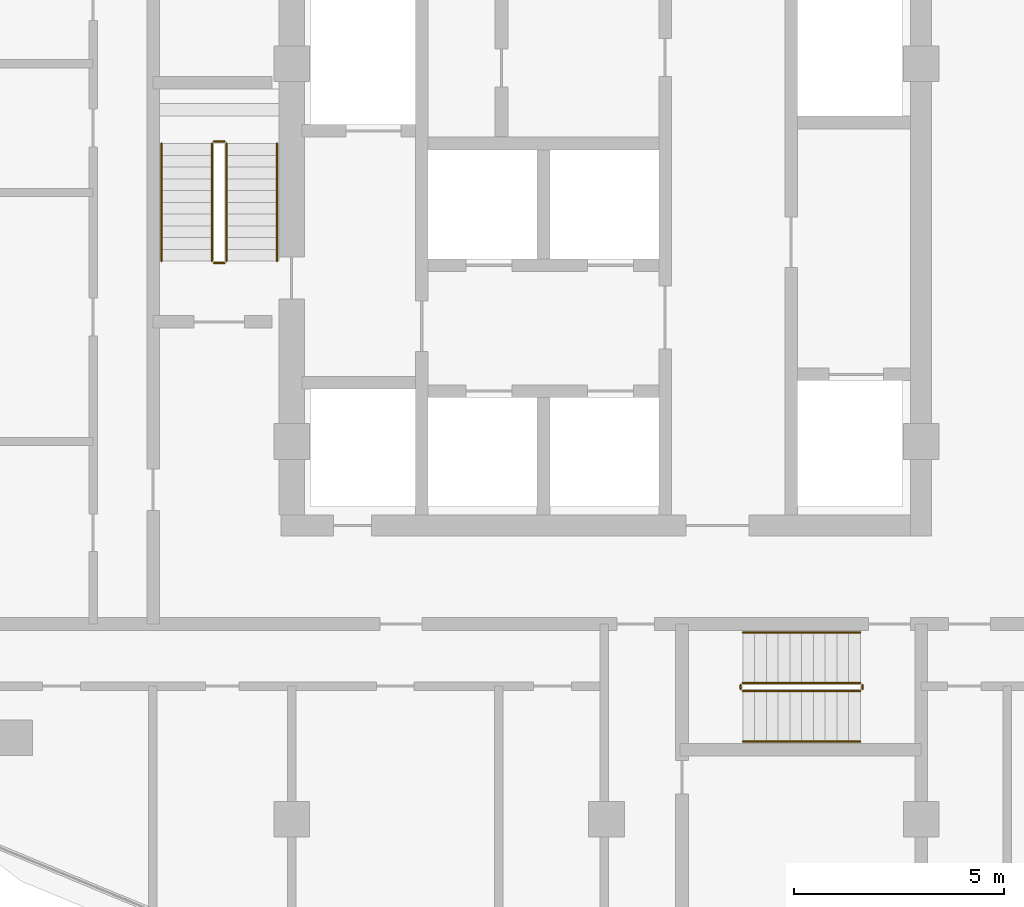
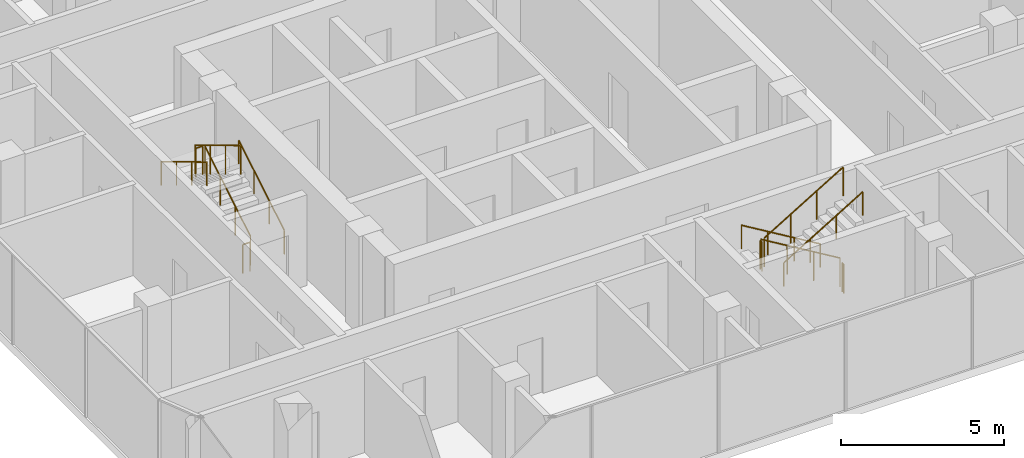
# One storey, part 34 of 34: 12 railings.
"""IFC4 building model written with IfcOpenShell, lengths in metres."""

from ifc_helpers import new_model, si_unit, direction, frame, origin, origin_2d, place, context, subcontext, project, spatial, circle, extrude, material, type_object, element, save


model = new_model("IFC4")

# Units and contexts
model_context = context("Model", 3, precision=1e-05, world=origin(), true_north=direction((0.0, 1.0)))
body_context = subcontext(model_context, "Body", "Model", "MODEL_VIEW")
ifc_project = project(units=[si_unit("LENGTHUNIT", "METRE"), si_unit("AREAUNIT", "SQUARE_METRE"), si_unit("VOLUMEUNIT", "CUBIC_METRE"), si_unit("PLANEANGLEUNIT", "RADIAN"), si_unit("MASSUNIT", "GRAM", prefix="KILO")], contexts=[model_context])

# Site, building, storey
site_placement = place(None, origin())
site = spatial("IfcSite", under=ifc_project, at=site_placement, CompositionType="ELEMENT")
building_placement = place(site_placement, origin())
building = spatial("IfcBuilding", under=site, at=building_placement, Name="Ogive Portal Towers", CompositionType="ELEMENT")
storey_placement = place(building_placement, frame((0.0, 0.0, 66.800048828125)))
storey = spatial("IfcBuildingStorey", under=building, at=storey_placement, Name="L15", CompositionType="ELEMENT", Elevation=66.800048828125)

# Railings
ifc_material_1 = material(Name="Stainless steel balustrade", Category="steel")
railing_type_1 = type_object("IfcRailingType", Name="INT-GUARD", PredefinedType="GUARDRAIL", material=ifc_material_1)
railing_1_placement = place(storey_placement, frame((127.449951171875, 30.800048828125, 0.168212890625)))
element("IfcRailing", 1, at=railing_1_placement, inside=storey, type_object=railing_type_1, Name="L15 ST-B1 stair guard 1", PredefinedType="GUARDRAIL", context=body_context, shape_type="SweptSolid", body=[
    extrude(circle(Radius=0.02392578125, at=origin_2d()), frame((0.0, 0.0, 1.076171875), z_axis=(0.0, 0.857275202839, 0.514858452973), x_axis=(-1.0, 0.0, 0.0)), (0.0, 0.0, 1.0), 3.26611328125),
    extrude(circle(Radius=0.02099609375, at=origin_2d()), origin(), (0.0, 0.0, 1.0), 1.052001953125),
    extrude(circle(Radius=0.02099609375, at=origin_2d()), frame((0.0, 0.933349609375, 0.560546875)), (0.0, 0.0, 1.0), 1.052001953125),
    extrude(circle(Radius=0.02099609375, at=origin_2d()), frame((0.0, 1.86669921875, 1.12109375)), (0.0, 0.0, 1.0), 1.052001953125),
    extrude(circle(Radius=0.02099609375, at=origin_2d()), frame((0.0, 2.800048828125, 1.681640625)), (0.0, 0.0, 1.0), 1.052001953125),
])
railing_2_placement = place(storey_placement, frame((127.39990234375, 33.64990234375, 1.849853515625)))
element("IfcRailing", 2, at=railing_2_placement, inside=storey, type_object=railing_type_1, Name="L15 ST-B1 stair guard 2", PredefinedType="GUARDRAIL", context=body_context, shape_type="SweptSolid", body=[
    extrude(circle(Radius=0.02392578125, at=origin_2d()), frame((0.0, 0.0, 1.076171875), z_axis=(-1.0, 0.0, 0.0), x_axis=(0.0, -1.0, 0.0)), (0.0, 0.0, 1.0), 0.25),
    extrude(circle(Radius=0.02099609375, at=origin_2d()), origin(), (0.0, 0.0, 1.0), 1.052001953125),
    extrude(circle(Radius=0.02099609375, at=origin_2d()), frame((-0.25, 0.0, 0.0)), (0.0, 0.0, 1.0), 1.052001953125),
])
railing_3_placement = place(storey_placement, frame((127.10009765625, 33.60009765625, 2.01806640625)))
element("IfcRailing", 3, at=railing_3_placement, inside=storey, type_object=railing_type_1, Name="L15 ST-B1 stair guard 3", PredefinedType="GUARDRAIL", context=body_context, shape_type="SweptSolid", body=[
    extrude(circle(Radius=0.02392578125, at=origin_2d()), frame((0.0, 0.0, 1.076171875), z_axis=(0.0, -0.857242210791, 0.514913383045), x_axis=(1.0, 0.0, 0.0)), (0.0, 0.0, 1.0), 3.266357421875),
    extrude(circle(Radius=0.02099609375, at=origin_2d()), origin(), (0.0, 0.0, 1.0), 1.052001953125),
    extrude(circle(Radius=0.02099609375, at=origin_2d()), frame((0.0, -0.933349609375, 0.560546875)), (0.0, 0.0, 1.0), 1.052001953125),
    extrude(circle(Radius=0.02099609375, at=origin_2d()), frame((0.0, -1.86669921875, 1.121337890625)), (0.0, 0.0, 1.0), 1.052001953125),
    extrude(circle(Radius=0.02099609375, at=origin_2d()), frame((0.0, -2.800048828125, 1.681884765625)), (0.0, 0.0, 1.0), 1.052001953125),
])
railing_4_placement = place(storey_placement, frame((127.39990234375, 30.75, 0.0)))
element("IfcRailing", 4, at=railing_4_placement, inside=storey, type_object=railing_type_1, Name="L15 ST-B1 stair guard 4", PredefinedType="GUARDRAIL", context=body_context, shape_type="SweptSolid", body=[
    extrude(circle(Radius=0.02392578125, at=origin_2d()), frame((0.0, 0.0, 1.076171875), z_axis=(-1.0, 0.0, 0.0), x_axis=(0.0, -1.0, 0.0)), (0.0, 0.0, 1.0), 0.25),
    extrude(circle(Radius=0.02099609375, at=origin_2d()), origin(), (0.0, 0.0, 1.0), 1.052001953125),
    extrude(circle(Radius=0.02099609375, at=origin_2d()), frame((-0.25, 0.0, 0.0)), (0.0, 0.0, 1.0), 1.052001953125),
])
railing_5_placement = place(storey_placement, frame((142.550048828125, 20.75, 0.168212890625)))
element("IfcRailing", 5, at=railing_5_placement, inside=storey, type_object=railing_type_1, Name="L15 ST-B2 stair guard 1", PredefinedType="GUARDRAIL", context=body_context, shape_type="SweptSolid", body=[
    extrude(circle(Radius=0.02392578125, at=origin_2d()), frame((0.0, 0.0, 1.076171875), z_axis=(-0.857275202839, 0.0, 0.514858452973), x_axis=(0.0, -1.0, 0.0)), (0.0, 0.0, 1.0), 3.26611328125),
    extrude(circle(Radius=0.02099609375, at=origin_2d()), origin(), (0.0, 0.0, 1.0), 1.052001953125),
    extrude(circle(Radius=0.02099609375, at=origin_2d()), frame((-0.933349609375, 0.0, 0.560546875)), (0.0, 0.0, 1.0), 1.052001953125),
    extrude(circle(Radius=0.02099609375, at=origin_2d()), frame((-1.86669921875, 0.0, 1.12109375)), (0.0, 0.0, 1.0), 1.052001953125),
    extrude(circle(Radius=0.02099609375, at=origin_2d()), frame((-2.800048828125, 0.0, 1.681640625)), (0.0, 0.0, 1.0), 1.052001953125),
])
railing_6_placement = place(storey_placement, frame((139.699951171875, 20.699951171875, 1.849853515625)))
element("IfcRailing", 6, at=railing_6_placement, inside=storey, type_object=railing_type_1, Name="L15 ST-B2 stair guard 2", PredefinedType="GUARDRAIL", context=body_context, shape_type="SweptSolid", body=[
    extrude(circle(Radius=0.02392578125, at=origin_2d()), frame((0.0, 0.0, 1.076171875), z_axis=(0.0, -1.0, 0.0), x_axis=(1.0, 0.0, 0.0)), (0.0, 0.0, 1.0), 0.099853515625),
    extrude(circle(Radius=0.02099609375, at=origin_2d()), origin(), (0.0, 0.0, 1.0), 1.052001953125),
    extrude(circle(Radius=0.02099609375, at=origin_2d()), frame((0.0, -0.099853515625, 0.0)), (0.0, 0.0, 1.0), 1.052001953125),
])
railing_7_placement = place(storey_placement, frame((139.75, 20.550048828125, 2.01806640625)))
element("IfcRailing", 7, at=railing_7_placement, inside=storey, type_object=railing_type_1, Name="L15 ST-B2 stair guard 3", PredefinedType="GUARDRAIL", context=body_context, shape_type="SweptSolid", body=[
    extrude(circle(Radius=0.02392578125, at=origin_2d()), frame((0.0, 0.0, 1.076171875), z_axis=(0.857242210791, 0.0, 0.514913383045), x_axis=(0.0, 1.0, 0.0)), (0.0, 0.0, 1.0), 3.266357421875),
    extrude(circle(Radius=0.02099609375, at=origin_2d()), origin(), (0.0, 0.0, 1.0), 1.052001953125),
    extrude(circle(Radius=0.02099609375, at=origin_2d()), frame((0.933349609375, 0.0, 0.560546875)), (0.0, 0.0, 1.0), 1.052001953125),
    extrude(circle(Radius=0.02099609375, at=origin_2d()), frame((1.86669921875, 0.0, 1.121337890625)), (0.0, 0.0, 1.0), 1.052001953125),
    extrude(circle(Radius=0.02099609375, at=origin_2d()), frame((2.800048828125, 0.0, 1.681884765625)), (0.0, 0.0, 1.0), 1.052001953125),
])
railing_8_placement = place(storey_placement, frame((142.60009765625, 20.699951171875, 0.0)))
element("IfcRailing", 8, at=railing_8_placement, inside=storey, type_object=railing_type_1, Name="L15 ST-B2 stair guard 4", PredefinedType="GUARDRAIL", context=body_context, shape_type="SweptSolid", body=[
    extrude(circle(Radius=0.02392578125, at=origin_2d()), frame((0.0, 0.0, 1.076171875), z_axis=(0.0, -1.0, 0.0), x_axis=(1.0, 0.0, 0.0)), (0.0, 0.0, 1.0), 0.099853515625),
    extrude(circle(Radius=0.02099609375, at=origin_2d()), origin(), (0.0, 0.0, 1.0), 1.052001953125),
    extrude(circle(Radius=0.02099609375, at=origin_2d()), frame((0.0, -0.099853515625, 0.0)), (0.0, 0.0, 1.0), 1.052001953125),
])
ifc_material_2 = material(Name="Stainless steel handrail", Category="steel")
railing_type_2 = type_object("IfcRailingType", Name="INT-HANDRAIL", PredefinedType="HANDRAIL", material=ifc_material_2)
railing_9_placement = place(storey_placement, frame((128.64990234375, 30.800048828125, 0.168212890625)))
element("IfcRailing", 9, at=railing_9_placement, inside=storey, type_object=railing_type_2, Name="L15 ST-B1 stair handrail 1", PredefinedType="HANDRAIL", context=body_context, shape_type="SweptSolid", body=[
    extrude(circle(Radius=0.02392578125, at=origin_2d()), frame((0.0, 0.0, 0.8759765625), z_axis=(0.0, 0.857275202839, 0.514858452973), x_axis=(-1.0, 0.0, 0.0)), (0.0, 0.0, 1.0), 3.26611328125),
    extrude(circle(Radius=0.02099609375, at=origin_2d()), origin(), (0.0, 0.0, 1.0), 0.851806640625),
    extrude(circle(Radius=0.02099609375, at=origin_2d()), frame((0.0, 0.933349609375, 0.560546875)), (0.0, 0.0, 1.0), 0.851806640625),
    extrude(circle(Radius=0.02099609375, at=origin_2d()), frame((0.0, 1.86669921875, 1.12109375)), (0.0, 0.0, 1.0), 0.851806640625),
    extrude(circle(Radius=0.02099609375, at=origin_2d()), frame((0.0, 2.800048828125, 1.681640625)), (0.0, 0.0, 1.0), 0.851806640625),
])
railing_10_placement = place(storey_placement, frame((125.89990234375, 33.60009765625, 2.01806640625)))
element("IfcRailing", 10, at=railing_10_placement, inside=storey, type_object=railing_type_2, Name="L15 ST-B1 stair handrail 2", PredefinedType="HANDRAIL", context=body_context, shape_type="SweptSolid", body=[
    extrude(circle(Radius=0.02392578125, at=origin_2d()), frame((0.0, 0.0, 0.8759765625), z_axis=(0.0, -0.857242210791, 0.514913383045), x_axis=(1.0, 0.0, 0.0)), (0.0, 0.0, 1.0), 3.266357421875),
    extrude(circle(Radius=0.02099609375, at=origin_2d()), origin(), (0.0, 0.0, 1.0), 0.851806640625),
    extrude(circle(Radius=0.02099609375, at=origin_2d()), frame((0.0, -0.933349609375, 0.560546875)), (0.0, 0.0, 1.0), 0.851806640625),
    extrude(circle(Radius=0.02099609375, at=origin_2d()), frame((0.0, -1.86669921875, 1.121337890625)), (0.0, 0.0, 1.0), 0.851806640625),
    extrude(circle(Radius=0.02099609375, at=origin_2d()), frame((0.0, -2.800048828125, 1.681884765625)), (0.0, 0.0, 1.0), 0.851806640625),
])
railing_11_placement = place(storey_placement, frame((142.550048828125, 21.949951171875, 0.168212890625)))
element("IfcRailing", 11, at=railing_11_placement, inside=storey, type_object=railing_type_2, Name="L15 ST-B2 stair handrail 1", PredefinedType="HANDRAIL", context=body_context, shape_type="SweptSolid", body=[
    extrude(circle(Radius=0.02392578125, at=origin_2d()), frame((0.0, 0.0, 0.8759765625), z_axis=(-0.857275202839, 0.0, 0.514858452973), x_axis=(0.0, -1.0, 0.0)), (0.0, 0.0, 1.0), 3.26611328125),
    extrude(circle(Radius=0.02099609375, at=origin_2d()), origin(), (0.0, 0.0, 1.0), 0.851806640625),
    extrude(circle(Radius=0.02099609375, at=origin_2d()), frame((-0.933349609375, 0.0, 0.560546875)), (0.0, 0.0, 1.0), 0.851806640625),
    extrude(circle(Radius=0.02099609375, at=origin_2d()), frame((-1.86669921875, 0.0, 1.12109375)), (0.0, 0.0, 1.0), 0.851806640625),
    extrude(circle(Radius=0.02099609375, at=origin_2d()), frame((-2.800048828125, 0.0, 1.681640625)), (0.0, 0.0, 1.0), 0.851806640625),
])
railing_12_placement = place(storey_placement, frame((139.75, 19.35009765625, 2.01806640625)))
element("IfcRailing", 12, at=railing_12_placement, inside=storey, type_object=railing_type_2, Name="L15 ST-B2 stair handrail 2", PredefinedType="HANDRAIL", context=body_context, shape_type="SweptSolid", body=[
    extrude(circle(Radius=0.02392578125, at=origin_2d()), frame((0.0, 0.0, 0.8759765625), z_axis=(0.857242210791, 0.0, 0.514913383045), x_axis=(0.0, 1.0, 0.0)), (0.0, 0.0, 1.0), 3.266357421875),
    extrude(circle(Radius=0.02099609375, at=origin_2d()), origin(), (0.0, 0.0, 1.0), 0.851806640625),
    extrude(circle(Radius=0.02099609375, at=origin_2d()), frame((0.933349609375, 0.0, 0.560546875)), (0.0, 0.0, 1.0), 0.851806640625),
    extrude(circle(Radius=0.02099609375, at=origin_2d()), frame((1.86669921875, 0.0, 1.121337890625)), (0.0, 0.0, 1.0), 0.851806640625),
    extrude(circle(Radius=0.02099609375, at=origin_2d()), frame((2.800048828125, 0.0, 1.681884765625)), (0.0, 0.0, 1.0), 0.851806640625),
])

save(model, "model.ifc")
